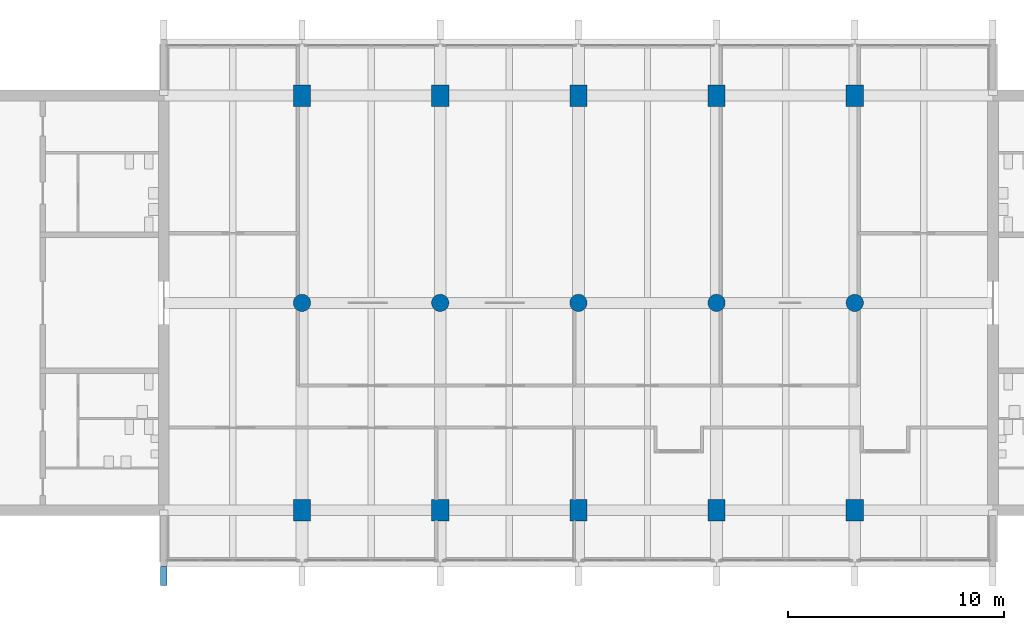
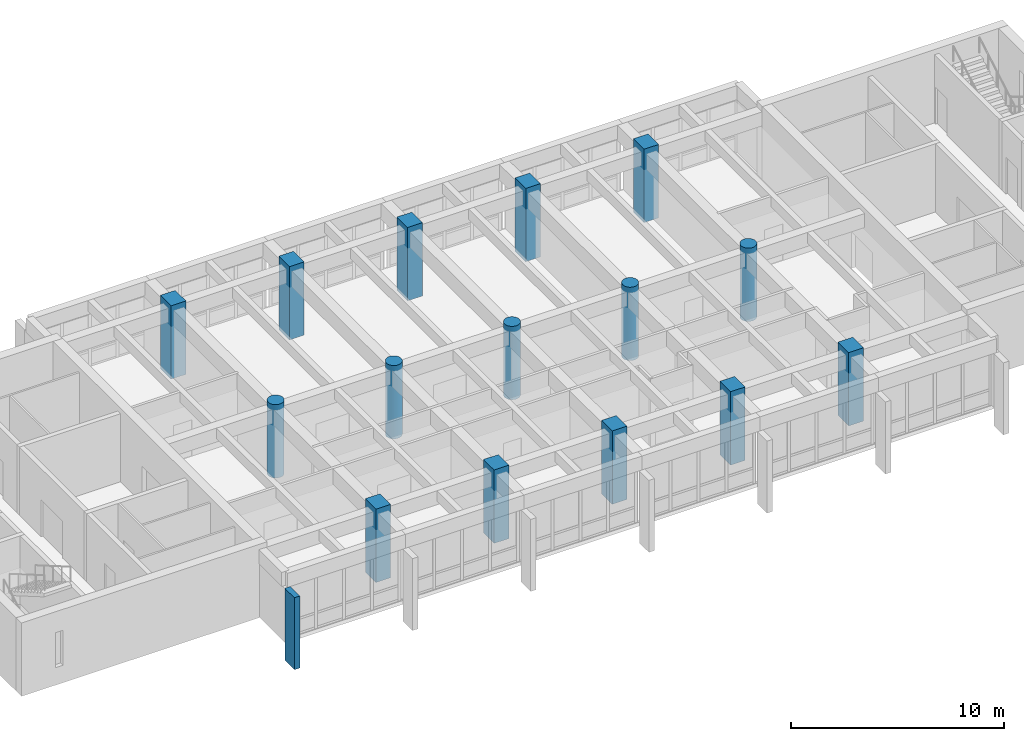
# One storey, part 1 of 15: 15 columns, 1 member.
"""IFC4 building model written with IfcOpenShell, lengths in metres."""

from ifc_helpers import new_model, si_unit, direction, frame, origin, origin_2d, place, context, subcontext, project, spatial, rectangle, circle, extrude, material, material_profile, profile_set, type_object, element, save


model = new_model("IFC4")

# Units and contexts
model_context = context("Model", 3, precision=1e-05, world=origin(), true_north=direction((0.0, 1.0)))
body_context = subcontext(model_context, "Body", "Model", "MODEL_VIEW")
ifc_project = project(units=[si_unit("LENGTHUNIT", "METRE"), si_unit("AREAUNIT", "SQUARE_METRE"), si_unit("VOLUMEUNIT", "CUBIC_METRE"), si_unit("PLANEANGLEUNIT", "RADIAN"), si_unit("MASSUNIT", "GRAM", prefix="KILO")], contexts=[model_context])

# Site, building, storey
site_placement = place(None, origin())
site = spatial("IfcSite", under=ifc_project, at=site_placement, CompositionType="ELEMENT")
building_placement = place(site_placement, origin())
building = spatial("IfcBuilding", under=site, at=building_placement, Name="Fogon Plaza Fire Station and Headquarters Tower", CompositionType="ELEMENT")
storey_placement = place(building_placement, frame((0.0, 0.0, 60.0)))
storey = spatial("IfcBuildingStorey", under=building, at=storey_placement, Name="L15", CompositionType="ELEMENT", Elevation=60.0)

# Columns
ifc_material_1 = material(Name="Concrete C40", Category="concrete")
ifc_material_profile_1 = material_profile(ifc_material_1, rectangle(XDim=0.800048828125, YDim=1.0, at=origin_2d()), Name="RC 800x1000")
ifc_profile_set_1 = profile_set([ifc_material_profile_1], Name="Concrete C40")
column_type_1 = type_object("IfcColumnType", Name="COLUMN RC 800x1000", PredefinedType="COLUMN", material=ifc_profile_set_1)
for number, where, z_axis, x_axis, name in (
    (1, (32.0, 33.60009765625, 0.0), (0.0, 0.0, 1.0), (1.0, 0.0, 0.0), "col-L15-4E"),
    (2, (32.0, 52.800048828125, 0.0), (0.0, 0.0, 1.0), (1.0, 0.0, 0.0), "col-L15-4G"),
    (3, (38.39990234375, 33.60009765625, 0.0), (0.0, 0.0, 1.0), (1.0, 0.0, 0.0), "col-L15-5E"),
    (4, (38.39990234375, 52.800048828125, 0.0), (0.0, 0.0, 1.0), (1.0, 0.0, 0.0), "col-L15-5G"),
    (5, (44.800048828125, 33.60009765625, 0.0), (0.0, 0.0, 1.0), (1.0, 0.0, 0.0), "col-L15-6E"),
    (6, (44.800048828125, 52.800048828125, 0.0), (0.0, 0.0, 1.0), (1.0, 0.0, 0.0), "col-L15-6G"),
    (7, (51.199951171875, 33.60009765625, 0.0), (0.0, 0.0, 1.0), (1.0, 0.0, 0.0), "col-L15-7E"),
    (8, (51.199951171875, 52.800048828125, 0.0), (0.0, 0.0, 1.0), (1.0, 0.0, 0.0), "col-L15-7G"),
    (9, (57.60009765625, 33.60009765625, 0.0), (0.0, 0.0, 1.0), (1.0, 0.0, 0.0), "col-L15-8E"),
    (10, (57.60009765625, 52.800048828125, 0.0), (0.0, 0.0, 1.0), (1.0, 0.0, 0.0), "col-L15-8G"),
):
    element("IfcColumn", number, at=place(storey_placement, frame(where, z_axis=z_axis, x_axis=x_axis)), inside=storey, type_object=column_type_1, Name=name, PredefinedType="COLUMN", context=body_context, shape_type="SweptSolid", body=[
        extrude(rectangle(XDim=0.800048828125, YDim=1.0, at=origin_2d()), origin(), (0.0, 0.0, 1.0), 4.199951171875),
    ])
ifc_material_2 = material(Name="Concrete C40", Category="concrete")
ifc_material_profile_2 = material_profile(ifc_material_2, circle(Radius=0.39990234375, at=origin_2d()), Name="RC D800")
ifc_profile_set_2 = profile_set([ifc_material_profile_2], Name="Concrete C40")
column_type_2 = type_object("IfcColumnType", Name="COLUMN RC D800", PredefinedType="COLUMN", material=ifc_profile_set_2)
for number, where, z_axis, x_axis, name in (
    (11, (32.0, 43.199951171875, 0.0), (0.0, 0.0, 1.0), (1.0, 0.0, 0.0), "col-L15-4F"),
    (12, (38.39990234375, 43.199951171875, 0.0), (0.0, 0.0, 1.0), (1.0, 0.0, 0.0), "col-L15-5F"),
    (13, (44.800048828125, 43.199951171875, 0.0), (0.0, 0.0, 1.0), (1.0, 0.0, 0.0), "col-L15-6F"),
    (14, (51.199951171875, 43.199951171875, 0.0), (0.0, 0.0, 1.0), (1.0, 0.0, 0.0), "col-L15-7F"),
    (15, (57.60009765625, 43.199951171875, 0.0), (0.0, 0.0, 1.0), (1.0, 0.0, 0.0), "col-L15-8F"),
):
    element("IfcColumn", number, at=place(storey_placement, frame(where, z_axis=z_axis, x_axis=x_axis)), inside=storey, type_object=column_type_2, Name=name, PredefinedType="COLUMN", context=body_context, shape_type="SweptSolid", body=[
        extrude(circle(Radius=0.39990234375, at=origin_2d()), origin(), (0.0, 0.0, 1.0), 4.199951171875),
    ])

# Member
ifc_material_3 = material(Name="Concrete C40 precast", Category="concrete")
ifc_material_profile_3 = material_profile(ifc_material_3, rectangle(XDim=0.300048828125, YDim=0.89990234375, at=origin_2d()), Name="Precast Concrete Post 300x900")
ifc_profile_set_3 = profile_set([ifc_material_profile_3], Name="Concrete C40 precast")
member_type = type_object("IfcMemberType", Name="Precast Concrete Post 300x900", PredefinedType="POST", material=ifc_profile_set_3)
member_placement = place(storey_placement, frame((25.60009765625, 30.550048828125, -1.02001953125), z_axis=(0.0, 0.0, 1.0), x_axis=(1.0, 0.0, 0.0)))
element("IfcMember", 16, at=member_placement, inside=storey, type_object=member_type, Name="Precast Post S L15", PredefinedType="POST", context=body_context, shape_type="SweptSolid", body=[
    extrude(rectangle(XDim=0.300048828125, YDim=0.89990234375, at=origin_2d()), origin(), (0.0, 0.0, 1.0), 4.1201171875),
])

save(model, "model.ifc")
